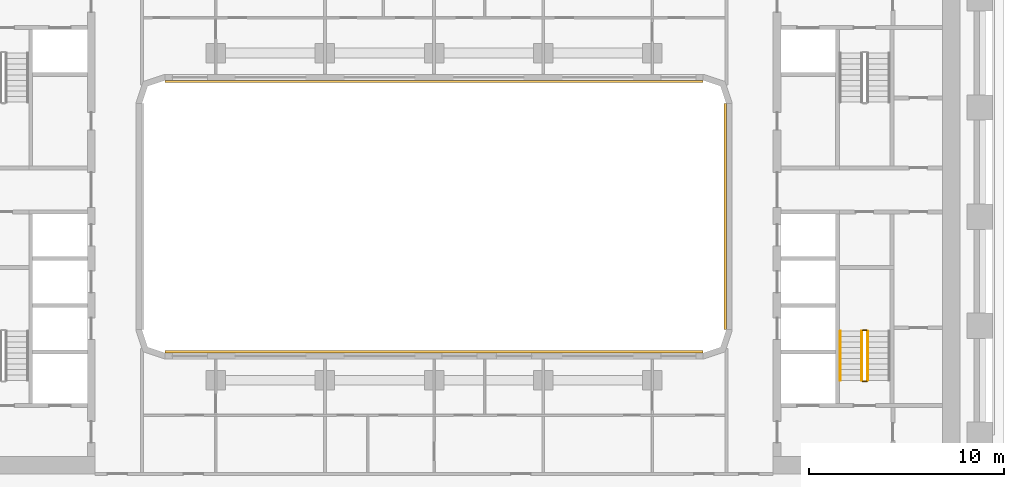
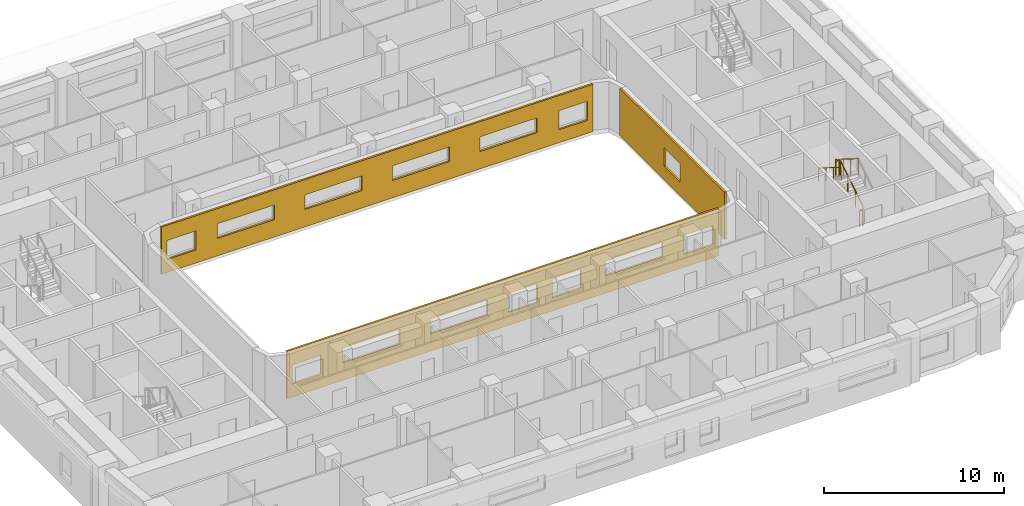
# One storey, part 16 of 21: 5 railings, 3 coverings.
"""IFC4 building model written with IfcOpenShell, lengths in metres."""

from ifc_helpers import new_model, si_unit, direction, frame, origin, origin_2d, place, context, subcontext, project, spatial, polyline, circle, outline, extrude, material, layer, layer_set, type_object, element, save


model = new_model("IFC4")

# Units and contexts
model_context = context("Model", 3, precision=1e-05, world=origin(), true_north=direction((0.0, 1.0)))
body_context = subcontext(model_context, "Body", "Model", "MODEL_VIEW")
ifc_project = project(units=[si_unit("LENGTHUNIT", "METRE"), si_unit("AREAUNIT", "SQUARE_METRE"), si_unit("VOLUMEUNIT", "CUBIC_METRE"), si_unit("PLANEANGLEUNIT", "RADIAN"), si_unit("MASSUNIT", "GRAM", prefix="KILO")], contexts=[model_context])

# Site, building, storey
site_placement = place(None, origin())
site = spatial("IfcSite", under=ifc_project, at=site_placement, CompositionType="ELEMENT")
building_placement = place(site_placement, origin())
building = spatial("IfcBuilding", under=site, at=building_placement, Name="Kiln Ring Residences", CompositionType="ELEMENT")
storey_placement = place(building_placement, frame((0.0, 0.0, 93.800048828125)))
storey = spatial("IfcBuildingStorey", under=building, at=storey_placement, Name="L23", CompositionType="ELEMENT", Elevation=93.800048828125)

# Railings
ifc_material_1 = material(Name="Stainless steel", Category="steel")
railing_type_1 = type_object("IfcRailingType", Name="CORE-STAIR-GUARD", PredefinedType="GUARDRAIL", material=ifc_material_1)
railing_1_placement = place(storey_placement, frame((22.25, -8.39990234375, 0.175048828125)))
element("IfcRailing", 1, at=railing_1_placement, inside=storey, type_object=railing_type_1, Name="L23 E-STS stair guard 1", PredefinedType="GUARDRAIL", context=body_context, shape_type="SweptSolid", body=[
    extrude(circle(Radius=0.02392578125, at=origin_2d()), frame((0.0, 0.0, 1.076171875), z_axis=(0.0, 0.848007534815, 0.529984170421), x_axis=(-1.0, 0.0, 0.0)), (0.0, 0.0, 1.0), 2.9716796875),
    extrude(circle(Radius=0.02099609375, at=origin_2d()), origin(), (0.0, 0.0, 1.0), 1.052001953125),
    extrude(circle(Radius=0.02099609375, at=origin_2d()), frame((0.0, 0.840087890625, 0.52490234375)), (0.0, 0.0, 1.0), 1.052001953125),
    extrude(circle(Radius=0.02099609375, at=origin_2d()), frame((0.0, 1.679931640625, 1.050048828125)), (0.0, 0.0, 1.0), 1.052001953125),
    extrude(circle(Radius=0.02099609375, at=origin_2d()), frame((0.0, 2.52001953125, 1.574951171875)), (0.0, 0.0, 1.0), 1.052001953125),
])
railing_2_placement = place(storey_placement, frame((22.199951171875, -5.830078125, 1.75)))
element("IfcRailing", 2, at=railing_2_placement, inside=storey, type_object=railing_type_1, Name="L23 E-STS stair guard 2", PredefinedType="GUARDRAIL", context=body_context, shape_type="SweptSolid", body=[
    extrude(circle(Radius=0.02392578125, at=origin_2d()), frame((0.0, 0.0, 1.076171875), z_axis=(-1.0, 0.0, 0.0), x_axis=(0.0, -1.0, 0.0)), (0.0, 0.0, 1.0), 0.199951171875),
    extrude(circle(Radius=0.02099609375, at=origin_2d()), origin(), (0.0, 0.0, 1.0), 1.052001953125),
    extrude(circle(Radius=0.02099609375, at=origin_2d()), frame((-0.199951171875, 0.0, 0.0)), (0.0, 0.0, 1.0), 1.052001953125),
])
railing_3_placement = place(storey_placement, frame((21.949951171875, -5.8798828125, 1.925048828125)))
element("IfcRailing", 3, at=railing_3_placement, inside=storey, type_object=railing_type_1, Name="L23 E-STS stair guard 3", PredefinedType="GUARDRAIL", context=body_context, shape_type="SweptSolid", body=[
    extrude(circle(Radius=0.02392578125, at=origin_2d()), frame((0.0, 0.0, 1.076171875), z_axis=(0.0, -0.848007534815, 0.529984170421), x_axis=(1.0, 0.0, 0.0)), (0.0, 0.0, 1.0), 2.9716796875),
    extrude(circle(Radius=0.02099609375, at=origin_2d()), origin(), (0.0, 0.0, 1.0), 1.052001953125),
    extrude(circle(Radius=0.02099609375, at=origin_2d()), frame((0.0, -0.840087890625, 0.52490234375)), (0.0, 0.0, 1.0), 1.052001953125),
    extrude(circle(Radius=0.02099609375, at=origin_2d()), frame((0.0, -1.679931640625, 1.050048828125)), (0.0, 0.0, 1.0), 1.052001953125),
    extrude(circle(Radius=0.02099609375, at=origin_2d()), frame((0.0, -2.52001953125, 1.574951171875)), (0.0, 0.0, 1.0), 1.052001953125),
])
railing_4_placement = place(storey_placement, frame((22.199951171875, -8.449951171875, 0.0)))
element("IfcRailing", 4, at=railing_4_placement, inside=storey, type_object=railing_type_1, Name="L23 E-STS stair guard 4", PredefinedType="GUARDRAIL", context=body_context, shape_type="SweptSolid", body=[
    extrude(circle(Radius=0.02392578125, at=origin_2d()), frame((0.0, 0.0, 1.076171875), z_axis=(-1.0, 0.0, 0.0), x_axis=(0.0, -1.0, 0.0)), (0.0, 0.0, 1.0), 0.199951171875),
    extrude(circle(Radius=0.02099609375, at=origin_2d()), origin(), (0.0, 0.0, 1.0), 1.052001953125),
    extrude(circle(Radius=0.02099609375, at=origin_2d()), frame((-0.199951171875, 0.0, 0.0)), (0.0, 0.0, 1.0), 1.052001953125),
])
ifc_material_2 = material(Name="Stainless steel", Category="steel")
railing_type_2 = type_object("IfcRailingType", Name="CORE-STAIR-HANDRAIL", PredefinedType="HANDRAIL", material=ifc_material_2)
railing_5_placement = place(storey_placement, frame((20.85009765625, -5.8798828125, 1.925048828125)))
element("IfcRailing", 5, at=railing_5_placement, inside=storey, type_object=railing_type_2, Name="L23 E-STS stair handrail 2", PredefinedType="HANDRAIL", context=body_context, shape_type="SweptSolid", body=[
    extrude(circle(Radius=0.02392578125, at=origin_2d()), frame((0.0, 0.0, 0.8759765625), z_axis=(0.0, -0.848007534815, 0.529984170421), x_axis=(1.0, 0.0, 0.0)), (0.0, 0.0, 1.0), 2.9716796875),
    extrude(circle(Radius=0.02099609375, at=origin_2d()), origin(), (0.0, 0.0, 1.0), 0.851806640625),
    extrude(circle(Radius=0.02099609375, at=origin_2d()), frame((0.0, -0.840087890625, 0.52490234375)), (0.0, 0.0, 1.0), 0.851806640625),
    extrude(circle(Radius=0.02099609375, at=origin_2d()), frame((0.0, -1.679931640625, 1.050048828125)), (0.0, 0.0, 1.0), 0.851806640625),
    extrude(circle(Radius=0.02099609375, at=origin_2d()), frame((0.0, -2.52001953125, 1.574951171875)), (0.0, 0.0, 1.0), 0.851806640625),
])

# Coverings
ifc_material_3 = material(Name="Brick masonry, dark clay brick", Category="masonry")
ifc_layer = layer(ifc_material_3, 0.1201171875)
ifc_layer_set = layer_set([ifc_layer], Name="RAINSCREEN PANEL 120")
covering_type = type_object("IfcCoveringType", Name="RAINSCREEN PANEL 120", PredefinedType="CLADDING", material=ifc_layer_set)
covering_1_placement = place(storey_placement, frame((-13.800048828125, 6.93994140625, 0.0), z_axis=(0.0, 0.0, 1.0), x_axis=(1.0, 0.0, 0.0)))
element("IfcCovering", 6, at=covering_1_placement, inside=storey, type_object=covering_type, Name="RAINSCREEN L23", PredefinedType="CLADDING", context=body_context, shape_type="SweptSolid", body=[
    extrude(outline(polyline([(0.0, 0.0), (27.60009765625, 0.0), (27.60009765625, 3.199951171875), (0.0, 3.199951171875), (0.0, 0.0)]), holes=[polyline([(2.1826171875, 0.8798828125), (2.1826171875, 2.169921875), (0.342529296875, 2.169921875), (0.342529296875, 0.8798828125), (2.1826171875, 0.8798828125)]), polyline([(25.41748046875, 0.8798828125), (27.257568359375, 0.8798828125), (27.257568359375, 2.169921875), (25.41748046875, 2.169921875), (25.41748046875, 0.8798828125)]), polyline([(3.580078125, 1.179931640625), (7.219970703125, 1.179931640625), (7.219970703125, 2.169921875), (3.580078125, 2.169921875), (3.580078125, 1.179931640625)]), polyline([(12.820068359375, 1.179931640625), (12.820068359375, 2.169921875), (9.179931640625, 2.169921875), (9.179931640625, 1.179931640625), (12.820068359375, 1.179931640625)]), polyline([(14.780029296875, 1.179931640625), (18.419921875, 1.179931640625), (18.419921875, 2.169921875), (14.780029296875, 2.169921875), (14.780029296875, 1.179931640625)]), polyline([(20.3798828125, 1.179931640625), (24.02001953125, 1.179931640625), (24.02001953125, 2.169921875), (20.3798828125, 2.169921875), (20.3798828125, 1.179931640625)])]), frame((0.0, 0.06005859375, 0.0), z_axis=(0.0, -1.0, 0.0), x_axis=(1.0, 0.0, 0.0)), (0.0, 0.0, 1.0), 0.1201171875),
])
covering_2_placement = place(storey_placement, frame((14.93994140625, 5.800048828125, 0.0), z_axis=(0.0, 0.0, 1.0), x_axis=(0.0, -1.0, 0.0)))
element("IfcCovering", 7, at=covering_2_placement, inside=storey, type_object=covering_type, Name="RAINSCREEN L23", PredefinedType="CLADDING", context=body_context, shape_type="SweptSolid", body=[
    extrude(outline(polyline([(0.0, 0.0), (11.60009765625, 0.0), (11.60009765625, 3.199951171875), (0.0, 3.199951171875), (0.0, 0.0)]), holes=[polyline([(4.89990234375, 2.14990234375), (4.89990234375, 0.89990234375), (6.699951171875, 0.89990234375), (6.699951171875, 2.14990234375), (4.89990234375, 2.14990234375)])]), frame((0.0, 0.06005859375, 0.0), z_axis=(0.0, -1.0, 0.0), x_axis=(1.0, 0.0, 0.0)), (0.0, 0.0, 1.0), 0.1201171875),
])
covering_3_placement = place(storey_placement, frame((13.800048828125, -6.93994140625, 0.0), z_axis=(0.0, 0.0, 1.0), x_axis=(-1.0, 0.0, 0.0)))
element("IfcCovering", 8, at=covering_3_placement, inside=storey, type_object=covering_type, Name="RAINSCREEN L23", PredefinedType="CLADDING", context=body_context, shape_type="SweptSolid", body=[
    extrude(outline(polyline([(0.0, 0.0), (27.60009765625, 0.0), (27.60009765625, 3.199951171875), (0.0, 3.199951171875), (0.0, 0.0)]), holes=[polyline([(2.1826171875, 0.8798828125), (2.1826171875, 2.169921875), (0.342529296875, 2.169921875), (0.342529296875, 0.8798828125), (2.1826171875, 0.8798828125)]), polyline([(8.780029296875, 0.8798828125), (10.6201171875, 0.8798828125), (10.6201171875, 2.169921875), (8.780029296875, 2.169921875), (8.780029296875, 0.8798828125)]), polyline([(11.580078125, 0.8798828125), (13.419921875, 0.8798828125), (13.419921875, 2.169921875), (11.580078125, 2.169921875), (11.580078125, 0.8798828125)]), polyline([(25.41748046875, 0.8798828125), (27.257568359375, 0.8798828125), (27.257568359375, 2.169921875), (25.41748046875, 2.169921875), (25.41748046875, 0.8798828125)]), polyline([(3.580078125, 1.179931640625), (7.219970703125, 1.179931640625), (7.219970703125, 2.169921875), (3.580078125, 2.169921875), (3.580078125, 1.179931640625)]), polyline([(14.780029296875, 1.179931640625), (18.419921875, 1.179931640625), (18.419921875, 2.169921875), (14.780029296875, 2.169921875), (14.780029296875, 1.179931640625)]), polyline([(20.3798828125, 1.179931640625), (24.02001953125, 1.179931640625), (24.02001953125, 2.169921875), (20.3798828125, 2.169921875), (20.3798828125, 1.179931640625)])]), frame((0.0, 0.06005859375, 0.0), z_axis=(0.0, -1.0, 0.0), x_axis=(1.0, 0.0, 0.0)), (0.0, 0.0, 1.0), 0.1201171875),
])

save(model, "model.ifc")
